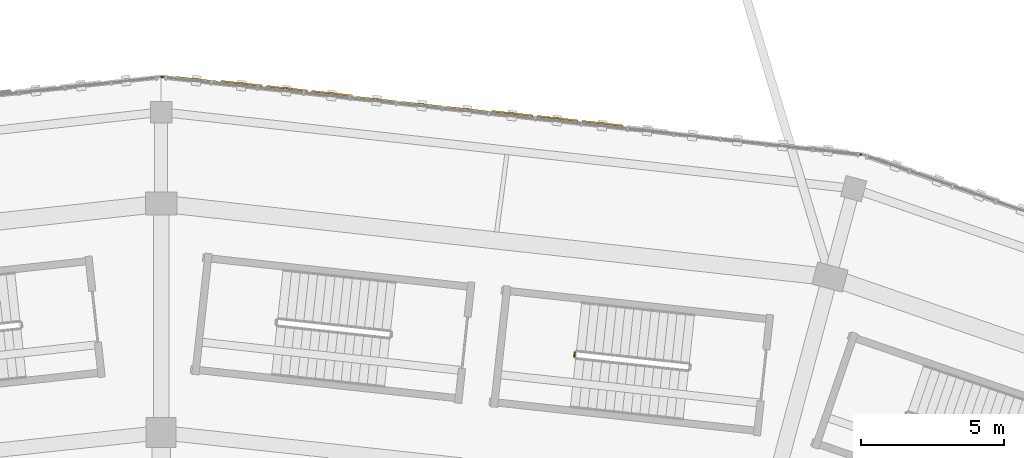
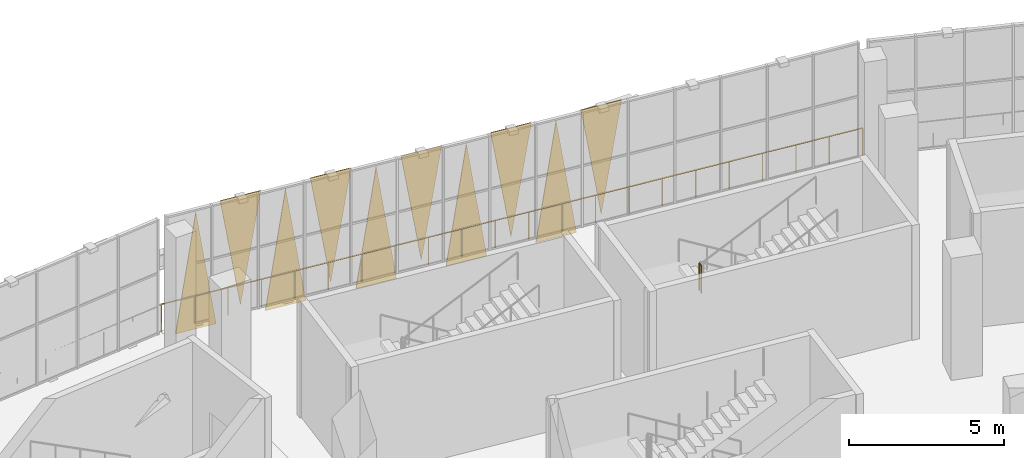
# One storey, part 171 of 183: 10 coverings, 2 railings.
"""IFC4 building model written with IfcOpenShell, lengths in metres."""

from ifc_helpers import new_model, si_unit, direction, frame, origin, origin_2d, place, context, subcontext, project, spatial, polyline, circle, outline, extrude, material, layer, layer_set, type_object, element, save


model = new_model("IFC4")

# Units and contexts
model_context = context("Model", 3, precision=1e-05, world=origin(), true_north=direction((0.0, 1.0)))
body_context = subcontext(model_context, "Body", "Model", "MODEL_VIEW")
ifc_project = project(units=[si_unit("LENGTHUNIT", "METRE"), si_unit("AREAUNIT", "SQUARE_METRE"), si_unit("VOLUMEUNIT", "CUBIC_METRE"), si_unit("PLANEANGLEUNIT", "RADIAN"), si_unit("MASSUNIT", "GRAM", prefix="KILO")], contexts=[model_context])

# Site, building, storey
site_placement = place(None, origin())
site = spatial("IfcSite", under=ifc_project, at=site_placement, CompositionType="ELEMENT")
building_placement = place(site_placement, origin())
building = spatial("IfcBuilding", under=site, at=building_placement, Name="Zevraka Park Crest Stadium", CompositionType="ELEMENT")
storey_placement = place(building_placement, frame((0.0, 0.0, 5.39990234375)))
storey = spatial("IfcBuildingStorey", under=building, at=storey_placement, Name="L01", CompositionType="ELEMENT", Elevation=5.39990234375)

# Coverings
ifc_material_1 = material(Name="Architectural golden-bronze perforated aluminium", Category="aluminium")
ifc_layer = layer(ifc_material_1, 0.034912109375)
ifc_layer_set = layer_set([ifc_layer], Name="Architectural golden-bronze perforated aluminium")
covering_type = type_object("IfcCoveringType", Name="CLD01", PredefinedType="CLADDING", material=ifc_layer_set)
covering_1_placement = place(storey_placement, frame((126.7119140625, 170.169921875, 4.5), z_axis=(-0.110111997488, -0.993919181061, 9.760997e-05), x_axis=(0.993919185796, -0.110111998013, 0.0)))
element("IfcCovering", 1, at=covering_1_placement, inside=storey, type_object=covering_type, Name="Triangular Golden-Bronze Perforated Cladding L01-05-6", PredefinedType="CLADDING", context=body_context, shape_type="SweptSolid", body=[
    extrude(outline(polyline([(0.0, 0.0), (1.4256613694050126, 1.6940658945086007e-21), (0.7123856968180892, -4.279785176638269), (0.0, 0.0)])), origin(), (0.0, 0.0, -1.0), 0.034912109375),
])
covering_2_placement = place(storey_placement, frame((126.552978515625, 170.18701171875, -0.260009765625), z_axis=(-0.110111997218, -0.993919178618, 0.000120187557), x_axis=(-0.993919185796, 0.110111998013, 0.0)))
element("IfcCovering", 2, at=covering_2_placement, inside=storey, type_object=covering_type, Name="Triangular Golden-Bronze Perforated Cladding L01-05-7", PredefinedType="CLADDING", context=body_context, shape_type="SweptSolid", body=[
    extrude(outline(polyline([(0.0, 0.0), (1.4256613694050126, 0.0), (0.713383203834983, -4.600097689474318), (0.0, 0.0)])), origin(), (0.0, 0.0, -1.0), 0.034912109375),
])
covering_3_placement = place(storey_placement, frame((123.55908203125, 170.51904296875, 4.5), z_axis=(-0.110037080729, -0.993927472592, 0.000141746645), x_axis=(0.993927482577, -0.110037081835, 0.0)))
element("IfcCovering", 3, at=covering_3_placement, inside=storey, type_object=covering_type, Name="Triangular Golden-Bronze Perforated Cladding L01-05-8", PredefinedType="CLADDING", context=body_context, shape_type="SweptSolid", body=[
    extrude(outline(polyline([(0.0, 0.0), (1.4266319976624326, 0.0), (0.7133831601360472, -4.2797851992449605), (0.0, 0.0)])), origin(), (0.0, 0.0, -1.0), 0.034912109375),
])
covering_4_placement = place(storey_placement, frame((123.39990234375, 170.537109375, -0.260009765625), z_axis=(0.110111997218, 0.993919178618, 0.000120187557), x_axis=(-0.993919185796, 0.110111998013, 0.0)))
element("IfcCovering", 4, at=covering_4_placement, inside=storey, type_object=covering_type, Name="Triangular Golden-Bronze Perforated Cladding L01-05-9", PredefinedType="CLADDING", context=body_context, shape_type="SweptSolid", body=[
    extrude(outline(polyline([(0.0, 0.0), (1.4256613694050126, 0.0), (0.7122781655700297, 4.600097689474318), (0.0, 0.0)])), origin(), (0.0, 0.0, -1.0), 0.034912109375),
])
covering_5_placement = place(storey_placement, frame((120.406982421875, 170.867919921875, 4.5), z_axis=(0.110111996702, 0.993919173963, 0.000154308153), x_axis=(0.993919185796, -0.110111998013, 0.0)))
element("IfcCovering", 5, at=covering_5_placement, inside=storey, type_object=covering_type, Name="Triangular Golden-Bronze Perforated Cladding L01-05-10", PredefinedType="CLADDING", context=body_context, shape_type="SweptSolid", body=[
    extrude(outline(polyline([(0.0, 0.0), (1.4256613694050126, 3.3881317890172014e-21), (0.7132487897749087, 4.279785207202997), (0.0, 0.0)])), origin(), (0.0, 0.0, -1.0), 0.034912109375),
])
covering_6_placement = place(storey_placement, frame((120.248046875, 170.885986328125, -0.260009765625), z_axis=(0.110111997763, 0.993919183536, 6.7437362e-05), x_axis=(-0.993919185796, 0.110111998013, 0.0)))
element("IfcCovering", 6, at=covering_6_placement, inside=storey, type_object=covering_type, Name="Triangular Golden-Bronze Perforated Cladding L01-05-11", PredefinedType="CLADDING", context=body_context, shape_type="SweptSolid", body=[
    extrude(outline(polyline([(0.0, 0.0), (1.4256613694050126, -1.6940658945086007e-21), (0.7123050483820446, 4.600097666710157), (0.0, 0.0)])), origin(), (0.0, 0.0, -1.0), 0.034912109375),
])
covering_7_placement = place(storey_placement, frame((117.2548828125, 171.218017578125, 4.5), z_axis=(-0.110093258591, -0.993921253684, 0.000126045065), x_axis=(0.99392126158, -0.110093259465, 0.0)))
element("IfcCovering", 7, at=covering_7_placement, inside=storey, type_object=covering_type, Name="Triangular Golden-Bronze Perforated Cladding L01-05-12", PredefinedType="CLADDING", context=body_context, shape_type="SweptSolid", body=[
    extrude(outline(polyline([(0.0, 0.0), (1.4259040257096456, -3.3881317890172014e-21), (0.7136258498427653, -4.2797851902472415), (0.0, 0.0)])), origin(), (0.0, 0.0, -1.0), 0.034912109375),
])
covering_8_placement = place(storey_placement, frame((117.095947265625, 171.235107421875, -0.260009765625), z_axis=(-0.110111997559, -0.993919181698, 9.0813224e-05), x_axis=(-0.993919185796, 0.110111998013, 0.0)))
element("IfcCovering", 8, at=covering_8_placement, inside=storey, type_object=covering_type, Name="Triangular Golden-Bronze Perforated Cladding L01-05-13", PredefinedType="CLADDING", context=body_context, shape_type="SweptSolid", body=[
    extrude(outline(polyline([(0.0, 0.0), (1.4256613694050126, -1.6940658945086007e-21), (0.7123856968180892, -4.600097675218598), (0.0, 0.0)])), origin(), (0.0, 0.0, -1.0), 0.034912109375),
])
covering_9_placement = place(storey_placement, frame((114.10302734375, 171.56689453125, 4.5), z_axis=(-0.110111997488, -0.993919181061, 9.760997e-05), x_axis=(0.993919185796, -0.110111998013, 0.0)))
element("IfcCovering", 9, at=covering_9_placement, inside=storey, type_object=covering_type, Name="Triangular Golden-Bronze Perforated Cladding L01-05-14", PredefinedType="CLADDING", context=body_context, shape_type="SweptSolid", body=[
    extrude(outline(polyline([(0.0, 0.0), (1.4256613694050126, 1.6940658945086007e-21), (0.7123856968180892, -4.279785176638269), (0.0, 0.0)])), origin(), (0.0, 0.0, -1.0), 0.034912109375),
])
covering_10_placement = place(storey_placement, frame((113.944091796875, 171.5849609375, -0.260009765625), z_axis=(0.110111997559, 0.993919181698, 9.0813224e-05), x_axis=(-0.993919185796, 0.110111998013, 0.0)))
element("IfcCovering", 10, at=covering_10_placement, inside=storey, type_object=covering_type, Name="Triangular Golden-Bronze Perforated Cladding L01-05-15", PredefinedType="CLADDING", context=body_context, shape_type="SweptSolid", body=[
    extrude(outline(polyline([(0.0, 0.0), (1.4256613694050126, -1.6940658945086007e-21), (0.7132756725869236, 4.600097675218598), (0.0, 0.0)])), origin(), (0.0, 0.0, -1.0), 0.034912109375),
])

# Railings
ifc_material_2 = material(Name="Galvanised and bronze-finished steel balustrade", Category="steel")
railing_type_1 = type_object("IfcRailingType", Name="GR01", PredefinedType="GUARDRAIL", material=ifc_material_2)
railing_1_placement = place(storey_placement, frame((112.0, 171.72998046875, 0.0)))
element("IfcRailing", 11, at=railing_1_placement, inside=storey, type_object=railing_type_1, Name="Deck Edge Protection Guardrail GR01 L01-8", PredefinedType="GUARDRAIL", context=body_context, shape_type="SweptSolid", body=[
    extrude(circle(Radius=0.02392578125, at=origin_2d()), frame((0.0, 0.0, 1.076171875), z_axis=(0.993912303692, -0.110174101171, 0.0), x_axis=(0.110174101171, 0.993912303692, 0.0)), (0.0, 0.0, 1.0), 24.670166015625),
    extrude(circle(Radius=0.02099609375, at=origin_2d()), origin(), (0.0, 0.0, 1.0), 1.052001953125),
    extrude(circle(Radius=0.02099609375, at=origin_2d()), frame((1.167724609375, -0.12939453125, 0.0)), (0.0, 0.0, 1.0), 1.052001953125),
    extrude(circle(Radius=0.02099609375, at=origin_2d()), frame((2.335205078125, -0.2587890625, 0.0)), (0.0, 0.0, 1.0), 1.052001953125),
    extrude(circle(Radius=0.02099609375, at=origin_2d()), frame((3.5029296875, -0.38818359375, 0.0)), (0.0, 0.0, 1.0), 1.052001953125),
    extrude(circle(Radius=0.02099609375, at=origin_2d()), frame((4.67041015625, -0.517822265625, 0.0)), (0.0, 0.0, 1.0), 1.052001953125),
    extrude(circle(Radius=0.02099609375, at=origin_2d()), frame((5.838134765625, -0.647216796875, 0.0)), (0.0, 0.0, 1.0), 1.052001953125),
    extrude(circle(Radius=0.02099609375, at=origin_2d()), frame((7.005615234375, -0.776611328125, 0.0)), (0.0, 0.0, 1.0), 1.052001953125),
    extrude(circle(Radius=0.02099609375, at=origin_2d()), frame((8.17333984375, -0.906005859375, 0.0)), (0.0, 0.0, 1.0), 1.052001953125),
    extrude(circle(Radius=0.02099609375, at=origin_2d()), frame((9.341064453125, -1.035400390625, 0.0)), (0.0, 0.0, 1.0), 1.052001953125),
    extrude(circle(Radius=0.02099609375, at=origin_2d()), frame((10.508544921875, -1.164794921875, 0.0)), (0.0, 0.0, 1.0), 1.052001953125),
    extrude(circle(Radius=0.02099609375, at=origin_2d()), frame((11.67626953125, -1.294189453125, 0.0)), (0.0, 0.0, 1.0), 1.052001953125),
    extrude(circle(Radius=0.02099609375, at=origin_2d()), frame((12.84375, -1.423828125, 0.0)), (0.0, 0.0, 1.0), 1.052001953125),
    extrude(circle(Radius=0.02099609375, at=origin_2d()), frame((14.011474609375, -1.55322265625, 0.0)), (0.0, 0.0, 1.0), 1.052001953125),
    extrude(circle(Radius=0.02099609375, at=origin_2d()), frame((15.178955078125, -1.6826171875, 0.0)), (0.0, 0.0, 1.0), 1.052001953125),
    extrude(circle(Radius=0.02099609375, at=origin_2d()), frame((16.3466796875, -1.81201171875, 0.0)), (0.0, 0.0, 1.0), 1.052001953125),
    extrude(circle(Radius=0.02099609375, at=origin_2d()), frame((17.514404296875, -1.94140625, 0.0)), (0.0, 0.0, 1.0), 1.052001953125),
    extrude(circle(Radius=0.02099609375, at=origin_2d()), frame((18.681884765625, -2.07080078125, 0.0)), (0.0, 0.0, 1.0), 1.052001953125),
    extrude(circle(Radius=0.02099609375, at=origin_2d()), frame((19.849609375, -2.2001953125, 0.0)), (0.0, 0.0, 1.0), 1.052001953125),
    extrude(circle(Radius=0.02099609375, at=origin_2d()), frame((21.01708984375, -2.329833984375, 0.0)), (0.0, 0.0, 1.0), 1.052001953125),
    extrude(circle(Radius=0.02099609375, at=origin_2d()), frame((22.184814453125, -2.459228515625, 0.0)), (0.0, 0.0, 1.0), 1.052001953125),
    extrude(circle(Radius=0.02099609375, at=origin_2d()), frame((23.352294921875, -2.588623046875, 0.0)), (0.0, 0.0, 1.0), 1.052001953125),
    extrude(circle(Radius=0.02099609375, at=origin_2d()), frame((24.52001953125, -2.718017578125, 0.0)), (0.0, 0.0, 1.0), 1.052001953125),
])
ifc_material_3 = material(Name="Powder-coated tubular steel stairwell guard", Category="steel")
railing_type_2 = type_object("IfcRailingType", Name="GR03", PredefinedType="GUARDRAIL", material=ifc_material_3)
railing_2_placement = place(storey_placement, frame((126.45654296875, 162.106689453125, 2.400146484375)))
element("IfcRailing", 12, at=railing_2_placement, inside=storey, type_object=railing_type_2, Name="L01 ST06 stair guard 2", PredefinedType="GUARDRAIL", context=body_context, shape_type="SweptSolid", body=[
    extrude(circle(Radius=0.02392578125, at=origin_2d()), frame((0.0, 0.0, 1.076171875), z_axis=(-0.108255734054, -0.994123078921, 0.0), x_axis=(0.994123078921, -0.108255734054, 0.0)), (0.0, 0.0, 1.0), 0.16015625),
    extrude(circle(Radius=0.02099609375, at=origin_2d()), origin(), (0.0, 0.0, 1.0), 1.052001953125),
    extrude(circle(Radius=0.02099609375, at=origin_2d()), frame((-0.017333984375, -0.1591796875, 0.0)), (0.0, 0.0, 1.0), 1.052001953125),
])

save(model, "model.ifc")
